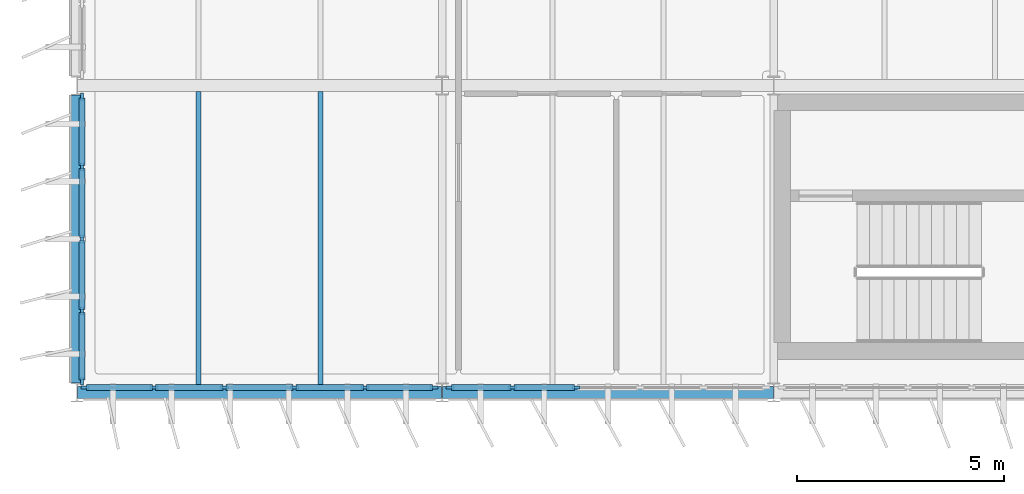
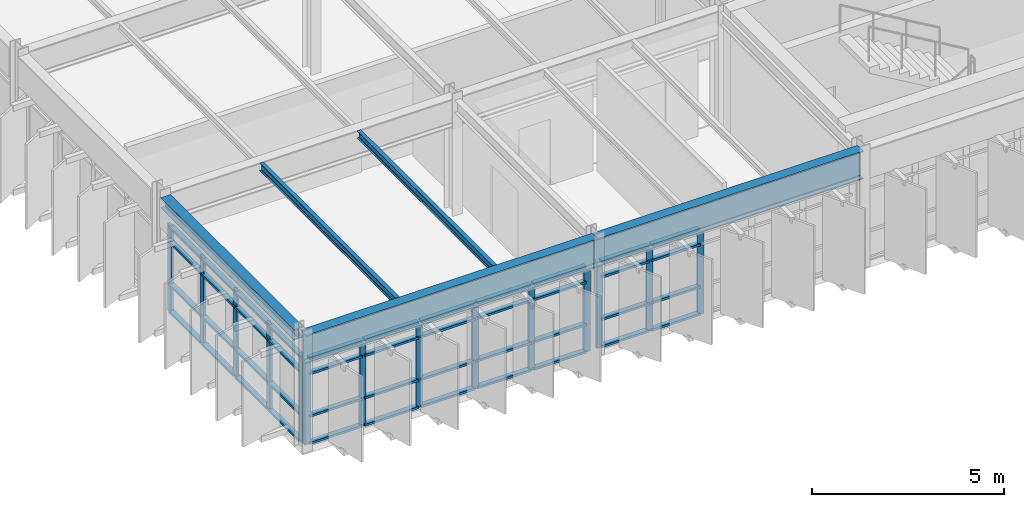
# One storey, part 4 of 35: 58 members, 5 beams, 3 elements without a shape of their own.
"""IFC4 building model written with IfcOpenShell, lengths in metres."""

from ifc_helpers import new_model, si_unit, direction, frame, origin, origin_2d, place, context, subcontext, project, spatial, rectangle, i_section, extrude, material, layer, layer_set, material_profile, profile_set, type_object, element, aggregate, save


model = new_model("IFC4")

# Units and contexts
model_context = context("Model", 3, precision=1e-05, world=origin(), true_north=direction((0.0, 1.0)))
body_context = subcontext(model_context, "Body", "Model", "MODEL_VIEW")
ifc_project = project(units=[si_unit("LENGTHUNIT", "METRE"), si_unit("AREAUNIT", "SQUARE_METRE"), si_unit("VOLUMEUNIT", "CUBIC_METRE"), si_unit("PLANEANGLEUNIT", "RADIAN"), si_unit("MASSUNIT", "GRAM", prefix="KILO")], contexts=[model_context])

# Site, building, storey
site_placement = place(None, origin())
site = spatial("IfcSite", under=ifc_project, at=site_placement, CompositionType="ELEMENT")
building_placement = place(site_placement, origin())
building = spatial("IfcBuilding", under=site, at=building_placement, Name="Valkorina Park Police Headquarters", CompositionType="ELEMENT")
storey_placement = place(building_placement, frame((0.0, 0.0, 27.199951171875)))
storey = spatial("IfcBuildingStorey", under=building, at=storey_placement, Name="L07", CompositionType="ELEMENT", Elevation=27.199951171875)

# Beams
ifc_material_1 = material(Name="Steel S355", Category="steel")
ifc_material_profile_1 = material_profile(ifc_material_1, i_section(OverallWidth=0.300048828125, OverallDepth=0.330078125, WebThickness=0.009521484375, FlangeThickness=0.0166015625, FilletRadius=0.027099609375, at=origin_2d()), Name="HEA 340")
ifc_profile_set_1 = profile_set([ifc_material_profile_1], Name="Steel S355")
beam_type_1 = type_object("IfcBeamType", Name="BM-S355-HEA340-SPN", PredefinedType="SPANDREL", material=ifc_profile_set_1)
beam_1_placement = place(storey_placement, frame((0.0, 37.22509765625, 3.51513671875), z_axis=(0.0, 1.0, 0.0), x_axis=(-1.0, 0.0, 0.0)))
element("IfcBeam", 1, at=beam_1_placement, inside=storey, type_object=beam_type_1, Name="L07 Framing Beam 2753", PredefinedType="SPANDREL", context=body_context, shape_type="SweptSolid", body=[
    extrude(i_section(OverallWidth=0.300048828125, OverallDepth=0.330078125, WebThickness=0.009521484375, FlangeThickness=0.0166015625, FilletRadius=0.027099609375, at=origin_2d()), origin(), (0.0, 0.0, 1.0), 6.949951171875),
])
ifc_material_profile_2 = material_profile(ifc_material_1, i_section(OverallWidth=0.300048828125, OverallDepth=0.89990234375, WebThickness=0.0185546875, FlangeThickness=0.034912109375, FilletRadius=0.030029296875, at=origin_2d()), Name="HEB 900")
ifc_profile_set_2 = profile_set([ifc_material_profile_2], Name="Steel S355")
beam_type_2 = type_object("IfcBeamType", Name="BM-S355-HEB900-EXT", PredefinedType="SPANDREL", material=ifc_profile_set_2)
beam_2_placement = place(storey_placement, frame((0.007080078125, 37.0, 3.22998046875), z_axis=(1.0, 0.0, 0.0), x_axis=(0.0, 1.0, 0.0)))
element("IfcBeam", 2, at=beam_2_placement, inside=storey, type_object=beam_type_2, Name="L07 Framing Beam 2724", PredefinedType="SPANDREL", context=body_context, shape_type="SweptSolid", body=[
    extrude(i_section(OverallWidth=0.300048828125, OverallDepth=0.89990234375, WebThickness=0.0185546875, FlangeThickness=0.034912109375, FilletRadius=0.030029296875, at=origin_2d()), origin(), (0.0, 0.0, 1.0), 8.785888671875),
])
beam_3_placement = place(storey_placement, frame((8.806884765625, 37.0, 3.22998046875), z_axis=(1.0, 0.0, 0.0), x_axis=(0.0, 1.0, 0.0)))
element("IfcBeam", 3, at=beam_3_placement, inside=storey, type_object=beam_type_2, Name="L07 Framing Beam 2725", PredefinedType="SPANDREL", context=body_context, shape_type="SweptSolid", body=[
    extrude(i_section(OverallWidth=0.300048828125, OverallDepth=0.89990234375, WebThickness=0.0185546875, FlangeThickness=0.034912109375, FilletRadius=0.030029296875, at=origin_2d()), origin(), (0.0, 0.0, 1.0), 7.986083984375),
])
ifc_material_profile_3 = material_profile(ifc_material_1, i_section(OverallWidth=0.1201171875, OverallDepth=0.239990234375, WebThickness=0.006103515625, FlangeThickness=0.009765625, FilletRadius=0.014892578125, at=origin_2d()), Name="IPE 240")
ifc_profile_set_3 = profile_set([ifc_material_profile_3], Name="Steel S355")
beam_type_3 = type_object("IfcBeamType", Name="BM-S355-IPE240-JST", PredefinedType="JOIST", material=ifc_profile_set_3)
for number, where, z_axis, x_axis, name in (
    (4, (2.933349609375, 37.14990234375, 3.56005859375), (0.0, 1.0, 0.0), (-1.0, 0.0, 0.0), "L07 Framing Beam 2754"),
    (5, (5.86669921875, 37.14990234375, 3.56005859375), (0.0, 1.0, 0.0), (-1.0, 0.0, 0.0), "L07 Framing Beam 2755"),
):
    element("IfcBeam", number, at=place(storey_placement, frame(where, z_axis=z_axis, x_axis=x_axis)), inside=storey, type_object=beam_type_3, Name=name, PredefinedType="JOIST", context=body_context, shape_type="SweptSolid", body=[
        extrude(i_section(OverallWidth=0.1201171875, OverallDepth=0.239990234375, WebThickness=0.006103515625, FlangeThickness=0.009765625, FilletRadius=0.014892578125, at=origin_2d()), origin(), (0.0, 0.0, 1.0), 7.10009765625),
    ])

# Curtain wall, members
ifc_material_2 = material(Name="Thermally broken aluminium AW-6060", Category="aluminium")
ifc_layer_1 = layer(ifc_material_2, 0.18994140625)
ifc_layer_set_1 = layer_set([ifc_layer_1], Name="Thermally broken aluminium AW-6060")
curtain_wall_type_1 = type_object("IfcCurtainWallType", Name="CW-V5-7680x2770", PredefinedType="NOTDEFINED", material=ifc_layer_set_1)
curtain_wall_1_placement = place(storey_placement, origin())
curtain_wall_1 = element("IfcCurtainWall", 6, at=curtain_wall_1_placement, inside=storey, type_object=curtain_wall_type_1, Name="L07 Unitised Curtain Wall 140", PredefinedType="NOTDEFINED")
ifc_material_profile_4 = material_profile(ifc_material_2, rectangle(XDim=0.070068359375, YDim=0.18994140625, at=origin_2d()), Name="CWM-02 70x190")
ifc_profile_set_4 = profile_set([ifc_material_profile_4], Name="Thermally broken aluminium AW-6060")
member_type_1 = type_object("IfcMemberType", Name="CWM-70x190", PredefinedType="MULLION", material=ifc_profile_set_4)
member_1_placement = place(storey_placement, frame((12.031982421875, 37.1201171875, 0.0), z_axis=(0.0, 0.0, 1.0), x_axis=(0.0, -1.0, 0.0)))
member_1 = element("IfcMember", 7, at=member_1_placement, type_object=member_type_1, Name="CW-V5-768-277 mullion 4", PredefinedType="MULLION", context=body_context, shape_type="SweptSolid", body=[
    extrude(rectangle(XDim=0.070068359375, YDim=0.18994140625, at=origin_2d()), origin(), (0.0, 0.0, 1.0), 2.77001953125),
])
member_2_placement = place(storey_placement, frame((10.49609375, 37.1201171875, 0.0), z_axis=(0.0, 0.0, 1.0), x_axis=(0.0, -1.0, 0.0)))
member_2 = element("IfcMember", 8, at=member_2_placement, type_object=member_type_1, Name="CW-V5-768-277 mullion 5", PredefinedType="MULLION", context=body_context, shape_type="SweptSolid", body=[
    extrude(rectangle(XDim=0.070068359375, YDim=0.18994140625, at=origin_2d()), origin(), (0.0, 0.0, 1.0), 2.77001953125),
])
member_3_placement = place(storey_placement, frame((8.9951171875, 37.1201171875, 0.0), z_axis=(0.0, 0.0, 1.0), x_axis=(0.0, -1.0, 0.0)))
member_3 = element("IfcMember", 9, at=member_3_placement, type_object=member_type_1, Name="CW-V5-768-277 mullion 6", PredefinedType="MULLION", context=body_context, shape_type="SweptSolid", body=[
    extrude(rectangle(XDim=0.070068359375, YDim=0.18994140625, at=origin_2d()), origin(), (0.0, 0.0, 1.0), 2.77001953125),
])

ifc_layer_2 = layer(ifc_material_2, 0.18994140625)
ifc_layer_set_2 = layer_set([ifc_layer_2], Name="Thermally broken aluminium AW-6060")
curtain_wall_type_2 = type_object("IfcCurtainWallType", Name="CW-V5-8480x2770", PredefinedType="NOTDEFINED", material=ifc_layer_set_2)
curtain_wall_2_placement = place(storey_placement, origin())
curtain_wall_2 = element("IfcCurtainWall", 10, at=curtain_wall_2_placement, inside=storey, type_object=curtain_wall_type_2, Name="L07 Unitised Curtain Wall 141", PredefinedType="NOTDEFINED")
member_4_placement = place(storey_placement, frame((8.60498046875, 37.1201171875, 0.0), z_axis=(0.0, 0.0, 1.0), x_axis=(0.0, -1.0, 0.0)))
member_4 = element("IfcMember", 11, at=member_4_placement, type_object=member_type_1, Name="CW-V5-848-277 mullion 1", PredefinedType="MULLION", context=body_context, shape_type="SweptSolid", body=[
    extrude(rectangle(XDim=0.070068359375, YDim=0.18994140625, at=origin_2d()), origin(), (0.0, 0.0, 1.0), 2.77001953125),
])
member_5_placement = place(storey_placement, frame((6.944091796875, 37.1201171875, 0.0), z_axis=(0.0, 0.0, 1.0), x_axis=(0.0, -1.0, 0.0)))
member_5 = element("IfcMember", 12, at=member_5_placement, type_object=member_type_1, Name="CW-V5-848-277 mullion 2", PredefinedType="MULLION", context=body_context, shape_type="SweptSolid", body=[
    extrude(rectangle(XDim=0.070068359375, YDim=0.18994140625, at=origin_2d()), origin(), (0.0, 0.0, 1.0), 2.77001953125),
])
member_6_placement = place(storey_placement, frame((5.248046875, 37.1201171875, 0.0), z_axis=(0.0, 0.0, 1.0), x_axis=(0.0, -1.0, 0.0)))
member_6 = element("IfcMember", 13, at=member_6_placement, type_object=member_type_1, Name="CW-V5-848-277 mullion 3", PredefinedType="MULLION", context=body_context, shape_type="SweptSolid", body=[
    extrude(rectangle(XDim=0.070068359375, YDim=0.18994140625, at=origin_2d()), origin(), (0.0, 0.0, 1.0), 2.77001953125),
])
member_7_placement = place(storey_placement, frame((3.552001953125, 37.1201171875, 0.0), z_axis=(0.0, 0.0, 1.0), x_axis=(0.0, -1.0, 0.0)))
member_7 = element("IfcMember", 14, at=member_7_placement, type_object=member_type_1, Name="CW-V5-848-277 mullion 4", PredefinedType="MULLION", context=body_context, shape_type="SweptSolid", body=[
    extrude(rectangle(XDim=0.070068359375, YDim=0.18994140625, at=origin_2d()), origin(), (0.0, 0.0, 1.0), 2.77001953125),
])
member_8_placement = place(storey_placement, frame((1.85595703125, 37.1201171875, 0.0), z_axis=(0.0, 0.0, 1.0), x_axis=(0.0, -1.0, 0.0)))
member_8 = element("IfcMember", 15, at=member_8_placement, type_object=member_type_1, Name="CW-V5-848-277 mullion 5", PredefinedType="MULLION", context=body_context, shape_type="SweptSolid", body=[
    extrude(rectangle(XDim=0.070068359375, YDim=0.18994140625, at=origin_2d()), origin(), (0.0, 0.0, 1.0), 2.77001953125),
])
member_9_placement = place(storey_placement, frame((0.195068359375, 37.1201171875, 0.0), z_axis=(0.0, 0.0, 1.0), x_axis=(0.0, -1.0, 0.0)))
member_9 = element("IfcMember", 16, at=member_9_placement, type_object=member_type_1, Name="CW-V5-848-277 mullion 6", PredefinedType="MULLION", context=body_context, shape_type="SweptSolid", body=[
    extrude(rectangle(XDim=0.070068359375, YDim=0.18994140625, at=origin_2d()), origin(), (0.0, 0.0, 1.0), 2.77001953125),
])

ifc_layer_3 = layer(ifc_material_2, 0.18994140625)
ifc_layer_set_3 = layer_set([ifc_layer_3], Name="Thermally broken aluminium AW-6060")
curtain_wall_type_3 = type_object("IfcCurtainWallType", Name="CW-V5-6930x2770", PredefinedType="NOTDEFINED", material=ifc_layer_set_3)
curtain_wall_3_placement = place(storey_placement, origin())
curtain_wall_3 = element("IfcCurtainWall", 17, at=curtain_wall_3_placement, inside=storey, type_object=curtain_wall_type_3, Name="L07 Unitised Curtain Wall 142", PredefinedType="NOTDEFINED")
member_10_placement = place(storey_placement, frame((0.1201171875, 37.27001953125, 0.0), z_axis=(0.0, 0.0, 1.0), x_axis=(-1.0, 0.0, 0.0)))
member_10 = element("IfcMember", 18, at=member_10_placement, type_object=member_type_1, Name="CW-V5-693-277 mullion 1", PredefinedType="MULLION", context=body_context, shape_type="SweptSolid", body=[
    extrude(rectangle(XDim=0.070068359375, YDim=0.18994140625, at=origin_2d()), origin(), (0.0, 0.0, 1.0), 2.77001953125),
])
member_11_placement = place(storey_placement, frame((0.1201171875, 38.967529296875, 0.0), z_axis=(0.0, 0.0, 1.0), x_axis=(-1.0, 0.0, 0.0)))
member_11 = element("IfcMember", 19, at=member_11_placement, type_object=member_type_1, Name="CW-V5-693-277 mullion 2", PredefinedType="MULLION", context=body_context, shape_type="SweptSolid", body=[
    extrude(rectangle(XDim=0.070068359375, YDim=0.18994140625, at=origin_2d()), origin(), (0.0, 0.0, 1.0), 2.77001953125),
])
member_12_placement = place(storey_placement, frame((0.1201171875, 40.699951171875, 0.0), z_axis=(0.0, 0.0, 1.0), x_axis=(-1.0, 0.0, 0.0)))
member_12 = element("IfcMember", 20, at=member_12_placement, type_object=member_type_1, Name="CW-V5-693-277 mullion 3", PredefinedType="MULLION", context=body_context, shape_type="SweptSolid", body=[
    extrude(rectangle(XDim=0.070068359375, YDim=0.18994140625, at=origin_2d()), origin(), (0.0, 0.0, 1.0), 2.77001953125),
])
member_13_placement = place(storey_placement, frame((0.1201171875, 42.4326171875, 0.0), z_axis=(0.0, 0.0, 1.0), x_axis=(-1.0, 0.0, 0.0)))
member_13 = element("IfcMember", 21, at=member_13_placement, type_object=member_type_1, Name="CW-V5-693-277 mullion 4", PredefinedType="MULLION", context=body_context, shape_type="SweptSolid", body=[
    extrude(rectangle(XDim=0.070068359375, YDim=0.18994140625, at=origin_2d()), origin(), (0.0, 0.0, 1.0), 2.77001953125),
])
member_14_placement = place(storey_placement, frame((0.1201171875, 44.1298828125, 0.0), z_axis=(0.0, 0.0, 1.0), x_axis=(-1.0, 0.0, 0.0)))
member_14 = element("IfcMember", 22, at=member_14_placement, type_object=member_type_1, Name="CW-V5-693-277 mullion 5", PredefinedType="MULLION", context=body_context, shape_type="SweptSolid", body=[
    extrude(rectangle(XDim=0.070068359375, YDim=0.18994140625, at=origin_2d()), origin(), (0.0, 0.0, 1.0), 2.77001953125),
])

# Member
ifc_material_profile_5 = material_profile(ifc_material_2, rectangle(XDim=0.14990234375, YDim=0.070068359375, at=origin_2d()), Name="CWT-02 150x70")
ifc_profile_set_5 = profile_set([ifc_material_profile_5], Name="Thermally broken aluminium AW-6060")
member_type_2 = type_object("IfcMemberType", Name="CWT-150x70", PredefinedType="USERDEFINED", material=ifc_profile_set_5)
member_15_placement = place(storey_placement, frame((11.9970703125, 37.1201171875, 0.03515625), z_axis=(-1.0, 0.0, 0.0), x_axis=(0.0, -1.0, 0.0)))
member_15 = element("IfcMember", 23, at=member_15_placement, type_object=member_type_2, Name="CW-V5-768-277 transom 4.1", ObjectType="TRANSOM", PredefinedType="USERDEFINED", context=body_context, shape_type="SweptSolid", body=[
    extrude(rectangle(XDim=0.14990234375, YDim=0.070068359375, at=origin_2d()), origin(), (0.0, 0.0, 1.0), 1.466064453125),
])

member_16_placement = place(storey_placement, frame((11.9970703125, 37.1201171875, 0.900146484375), z_axis=(-1.0, 0.0, 0.0), x_axis=(0.0, -1.0, 0.0)))
member_16 = element("IfcMember", 24, at=member_16_placement, type_object=member_type_2, Name="CW-V5-768-277 transom 4.2", ObjectType="TRANSOM", PredefinedType="USERDEFINED", context=body_context, shape_type="SweptSolid", body=[
    extrude(rectangle(XDim=0.14990234375, YDim=0.070068359375, at=origin_2d()), origin(), (0.0, 0.0, 1.0), 1.466064453125),
])

member_17_placement = place(storey_placement, frame((11.9970703125, 37.1201171875, 2.25), z_axis=(-1.0, 0.0, 0.0), x_axis=(0.0, -1.0, 0.0)))
member_17 = element("IfcMember", 25, at=member_17_placement, type_object=member_type_2, Name="CW-V5-768-277 transom 4.3", ObjectType="TRANSOM", PredefinedType="USERDEFINED", context=body_context, shape_type="SweptSolid", body=[
    extrude(rectangle(XDim=0.14990234375, YDim=0.070068359375, at=origin_2d()), origin(), (0.0, 0.0, 1.0), 1.466064453125),
])

member_18_placement = place(storey_placement, frame((11.9970703125, 37.1201171875, 2.735107421875), z_axis=(-1.0, 0.0, 0.0), x_axis=(0.0, -1.0, 0.0)))
member_18 = element("IfcMember", 26, at=member_18_placement, type_object=member_type_2, Name="CW-V5-768-277 transom 4.4", ObjectType="TRANSOM", PredefinedType="USERDEFINED", context=body_context, shape_type="SweptSolid", body=[
    extrude(rectangle(XDim=0.14990234375, YDim=0.070068359375, at=origin_2d()), origin(), (0.0, 0.0, 1.0), 1.466064453125),
])

member_19_placement = place(storey_placement, frame((10.4609375, 37.1201171875, 0.03515625), z_axis=(-1.0, 0.0, 0.0), x_axis=(0.0, -1.0, 0.0)))
member_19 = element("IfcMember", 27, at=member_19_placement, type_object=member_type_2, Name="CW-V5-768-277 transom 5.1", ObjectType="TRANSOM", PredefinedType="USERDEFINED", context=body_context, shape_type="SweptSolid", body=[
    extrude(rectangle(XDim=0.14990234375, YDim=0.070068359375, at=origin_2d()), origin(), (0.0, 0.0, 1.0), 1.430908203125),
])

member_20_placement = place(storey_placement, frame((10.4609375, 37.1201171875, 0.900146484375), z_axis=(-1.0, 0.0, 0.0), x_axis=(0.0, -1.0, 0.0)))
member_20 = element("IfcMember", 28, at=member_20_placement, type_object=member_type_2, Name="CW-V5-768-277 transom 5.2", ObjectType="TRANSOM", PredefinedType="USERDEFINED", context=body_context, shape_type="SweptSolid", body=[
    extrude(rectangle(XDim=0.14990234375, YDim=0.070068359375, at=origin_2d()), origin(), (0.0, 0.0, 1.0), 1.430908203125),
])

member_21_placement = place(storey_placement, frame((10.4609375, 37.1201171875, 2.25), z_axis=(-1.0, 0.0, 0.0), x_axis=(0.0, -1.0, 0.0)))
member_21 = element("IfcMember", 29, at=member_21_placement, type_object=member_type_2, Name="CW-V5-768-277 transom 5.3", ObjectType="TRANSOM", PredefinedType="USERDEFINED", context=body_context, shape_type="SweptSolid", body=[
    extrude(rectangle(XDim=0.14990234375, YDim=0.070068359375, at=origin_2d()), origin(), (0.0, 0.0, 1.0), 1.430908203125),
])

member_22_placement = place(storey_placement, frame((10.4609375, 37.1201171875, 2.735107421875), z_axis=(-1.0, 0.0, 0.0), x_axis=(0.0, -1.0, 0.0)))
member_22 = element("IfcMember", 30, at=member_22_placement, type_object=member_type_2, Name="CW-V5-768-277 transom 5.4", ObjectType="TRANSOM", PredefinedType="USERDEFINED", context=body_context, shape_type="SweptSolid", body=[
    extrude(rectangle(XDim=0.14990234375, YDim=0.070068359375, at=origin_2d()), origin(), (0.0, 0.0, 1.0), 1.430908203125),
])

aggregate(curtain_wall_1, [member_1, member_2, member_3, member_15, member_16, member_17, member_18, member_19, member_20, member_21, member_22])

member_23_placement = place(storey_placement, frame((8.570068359375, 37.1201171875, 0.03515625), z_axis=(-1.0, 0.0, 0.0), x_axis=(0.0, -1.0, 0.0)))
member_23 = element("IfcMember", 31, at=member_23_placement, type_object=member_type_2, Name="CW-V5-848-277 transom 1.1", ObjectType="TRANSOM", PredefinedType="USERDEFINED", context=body_context, shape_type="SweptSolid", body=[
    extrude(rectangle(XDim=0.14990234375, YDim=0.070068359375, at=origin_2d()), origin(), (0.0, 0.0, 1.0), 1.591064453125),
])

member_24_placement = place(storey_placement, frame((8.570068359375, 37.1201171875, 0.900146484375), z_axis=(-1.0, 0.0, 0.0), x_axis=(0.0, -1.0, 0.0)))
member_24 = element("IfcMember", 32, at=member_24_placement, type_object=member_type_2, Name="CW-V5-848-277 transom 1.2", ObjectType="TRANSOM", PredefinedType="USERDEFINED", context=body_context, shape_type="SweptSolid", body=[
    extrude(rectangle(XDim=0.14990234375, YDim=0.070068359375, at=origin_2d()), origin(), (0.0, 0.0, 1.0), 1.591064453125),
])

member_25_placement = place(storey_placement, frame((8.570068359375, 37.1201171875, 2.25), z_axis=(-1.0, 0.0, 0.0), x_axis=(0.0, -1.0, 0.0)))
member_25 = element("IfcMember", 33, at=member_25_placement, type_object=member_type_2, Name="CW-V5-848-277 transom 1.3", ObjectType="TRANSOM", PredefinedType="USERDEFINED", context=body_context, shape_type="SweptSolid", body=[
    extrude(rectangle(XDim=0.14990234375, YDim=0.070068359375, at=origin_2d()), origin(), (0.0, 0.0, 1.0), 1.591064453125),
])

member_26_placement = place(storey_placement, frame((8.570068359375, 37.1201171875, 2.735107421875), z_axis=(-1.0, 0.0, 0.0), x_axis=(0.0, -1.0, 0.0)))
member_26 = element("IfcMember", 34, at=member_26_placement, type_object=member_type_2, Name="CW-V5-848-277 transom 1.4", ObjectType="TRANSOM", PredefinedType="USERDEFINED", context=body_context, shape_type="SweptSolid", body=[
    extrude(rectangle(XDim=0.14990234375, YDim=0.070068359375, at=origin_2d()), origin(), (0.0, 0.0, 1.0), 1.591064453125),
])

member_27_placement = place(storey_placement, frame((6.908935546875, 37.1201171875, 0.03515625), z_axis=(-1.0, 0.0, 0.0), x_axis=(0.0, -1.0, 0.0)))
member_27 = element("IfcMember", 35, at=member_27_placement, type_object=member_type_2, Name="CW-V5-848-277 transom 2.1", ObjectType="TRANSOM", PredefinedType="USERDEFINED", context=body_context, shape_type="SweptSolid", body=[
    extrude(rectangle(XDim=0.14990234375, YDim=0.070068359375, at=origin_2d()), origin(), (0.0, 0.0, 1.0), 1.6259765625),
])

member_28_placement = place(storey_placement, frame((6.908935546875, 37.1201171875, 0.900146484375), z_axis=(-1.0, 0.0, 0.0), x_axis=(0.0, -1.0, 0.0)))
member_28 = element("IfcMember", 36, at=member_28_placement, type_object=member_type_2, Name="CW-V5-848-277 transom 2.2", ObjectType="TRANSOM", PredefinedType="USERDEFINED", context=body_context, shape_type="SweptSolid", body=[
    extrude(rectangle(XDim=0.14990234375, YDim=0.070068359375, at=origin_2d()), origin(), (0.0, 0.0, 1.0), 1.6259765625),
])

member_29_placement = place(storey_placement, frame((6.908935546875, 37.1201171875, 2.25), z_axis=(-1.0, 0.0, 0.0), x_axis=(0.0, -1.0, 0.0)))
member_29 = element("IfcMember", 37, at=member_29_placement, type_object=member_type_2, Name="CW-V5-848-277 transom 2.3", ObjectType="TRANSOM", PredefinedType="USERDEFINED", context=body_context, shape_type="SweptSolid", body=[
    extrude(rectangle(XDim=0.14990234375, YDim=0.070068359375, at=origin_2d()), origin(), (0.0, 0.0, 1.0), 1.6259765625),
])

member_30_placement = place(storey_placement, frame((6.908935546875, 37.1201171875, 2.735107421875), z_axis=(-1.0, 0.0, 0.0), x_axis=(0.0, -1.0, 0.0)))
member_30 = element("IfcMember", 38, at=member_30_placement, type_object=member_type_2, Name="CW-V5-848-277 transom 2.4", ObjectType="TRANSOM", PredefinedType="USERDEFINED", context=body_context, shape_type="SweptSolid", body=[
    extrude(rectangle(XDim=0.14990234375, YDim=0.070068359375, at=origin_2d()), origin(), (0.0, 0.0, 1.0), 1.6259765625),
])

member_31_placement = place(storey_placement, frame((5.212890625, 37.1201171875, 0.03515625), z_axis=(-1.0, 0.0, 0.0), x_axis=(0.0, -1.0, 0.0)))
member_31 = element("IfcMember", 39, at=member_31_placement, type_object=member_type_2, Name="CW-V5-848-277 transom 3.1", ObjectType="TRANSOM", PredefinedType="USERDEFINED", context=body_context, shape_type="SweptSolid", body=[
    extrude(rectangle(XDim=0.14990234375, YDim=0.070068359375, at=origin_2d()), origin(), (0.0, 0.0, 1.0), 1.6259765625),
])

member_32_placement = place(storey_placement, frame((5.212890625, 37.1201171875, 0.900146484375), z_axis=(-1.0, 0.0, 0.0), x_axis=(0.0, -1.0, 0.0)))
member_32 = element("IfcMember", 40, at=member_32_placement, type_object=member_type_2, Name="CW-V5-848-277 transom 3.2", ObjectType="TRANSOM", PredefinedType="USERDEFINED", context=body_context, shape_type="SweptSolid", body=[
    extrude(rectangle(XDim=0.14990234375, YDim=0.070068359375, at=origin_2d()), origin(), (0.0, 0.0, 1.0), 1.6259765625),
])

member_33_placement = place(storey_placement, frame((5.212890625, 37.1201171875, 2.25), z_axis=(-1.0, 0.0, 0.0), x_axis=(0.0, -1.0, 0.0)))
member_33 = element("IfcMember", 41, at=member_33_placement, type_object=member_type_2, Name="CW-V5-848-277 transom 3.3", ObjectType="TRANSOM", PredefinedType="USERDEFINED", context=body_context, shape_type="SweptSolid", body=[
    extrude(rectangle(XDim=0.14990234375, YDim=0.070068359375, at=origin_2d()), origin(), (0.0, 0.0, 1.0), 1.6259765625),
])

member_34_placement = place(storey_placement, frame((5.212890625, 37.1201171875, 2.735107421875), z_axis=(-1.0, 0.0, 0.0), x_axis=(0.0, -1.0, 0.0)))
member_34 = element("IfcMember", 42, at=member_34_placement, type_object=member_type_2, Name="CW-V5-848-277 transom 3.4", ObjectType="TRANSOM", PredefinedType="USERDEFINED", context=body_context, shape_type="SweptSolid", body=[
    extrude(rectangle(XDim=0.14990234375, YDim=0.070068359375, at=origin_2d()), origin(), (0.0, 0.0, 1.0), 1.6259765625),
])

member_35_placement = place(storey_placement, frame((3.51708984375, 37.1201171875, 0.03515625), z_axis=(-1.0, 0.0, 0.0), x_axis=(0.0, -1.0, 0.0)))
member_35 = element("IfcMember", 43, at=member_35_placement, type_object=member_type_2, Name="CW-V5-848-277 transom 4.1", ObjectType="TRANSOM", PredefinedType="USERDEFINED", context=body_context, shape_type="SweptSolid", body=[
    extrude(rectangle(XDim=0.14990234375, YDim=0.070068359375, at=origin_2d()), origin(), (0.0, 0.0, 1.0), 1.6259765625),
])

member_36_placement = place(storey_placement, frame((3.51708984375, 37.1201171875, 0.900146484375), z_axis=(-1.0, 0.0, 0.0), x_axis=(0.0, -1.0, 0.0)))
member_36 = element("IfcMember", 44, at=member_36_placement, type_object=member_type_2, Name="CW-V5-848-277 transom 4.2", ObjectType="TRANSOM", PredefinedType="USERDEFINED", context=body_context, shape_type="SweptSolid", body=[
    extrude(rectangle(XDim=0.14990234375, YDim=0.070068359375, at=origin_2d()), origin(), (0.0, 0.0, 1.0), 1.6259765625),
])

member_37_placement = place(storey_placement, frame((3.51708984375, 37.1201171875, 2.25), z_axis=(-1.0, 0.0, 0.0), x_axis=(0.0, -1.0, 0.0)))
member_37 = element("IfcMember", 45, at=member_37_placement, type_object=member_type_2, Name="CW-V5-848-277 transom 4.3", ObjectType="TRANSOM", PredefinedType="USERDEFINED", context=body_context, shape_type="SweptSolid", body=[
    extrude(rectangle(XDim=0.14990234375, YDim=0.070068359375, at=origin_2d()), origin(), (0.0, 0.0, 1.0), 1.6259765625),
])

member_38_placement = place(storey_placement, frame((3.51708984375, 37.1201171875, 2.735107421875), z_axis=(-1.0, 0.0, 0.0), x_axis=(0.0, -1.0, 0.0)))
member_38 = element("IfcMember", 46, at=member_38_placement, type_object=member_type_2, Name="CW-V5-848-277 transom 4.4", ObjectType="TRANSOM", PredefinedType="USERDEFINED", context=body_context, shape_type="SweptSolid", body=[
    extrude(rectangle(XDim=0.14990234375, YDim=0.070068359375, at=origin_2d()), origin(), (0.0, 0.0, 1.0), 1.6259765625),
])

member_39_placement = place(storey_placement, frame((1.821044921875, 37.1201171875, 0.03515625), z_axis=(-1.0, 0.0, 0.0), x_axis=(0.0, -1.0, 0.0)))
member_39 = element("IfcMember", 47, at=member_39_placement, type_object=member_type_2, Name="CW-V5-848-277 transom 5.1", ObjectType="TRANSOM", PredefinedType="USERDEFINED", context=body_context, shape_type="SweptSolid", body=[
    extrude(rectangle(XDim=0.14990234375, YDim=0.070068359375, at=origin_2d()), origin(), (0.0, 0.0, 1.0), 1.591064453125),
])

member_40_placement = place(storey_placement, frame((1.821044921875, 37.1201171875, 0.900146484375), z_axis=(-1.0, 0.0, 0.0), x_axis=(0.0, -1.0, 0.0)))
member_40 = element("IfcMember", 48, at=member_40_placement, type_object=member_type_2, Name="CW-V5-848-277 transom 5.2", ObjectType="TRANSOM", PredefinedType="USERDEFINED", context=body_context, shape_type="SweptSolid", body=[
    extrude(rectangle(XDim=0.14990234375, YDim=0.070068359375, at=origin_2d()), origin(), (0.0, 0.0, 1.0), 1.591064453125),
])

member_41_placement = place(storey_placement, frame((1.821044921875, 37.1201171875, 2.25), z_axis=(-1.0, 0.0, 0.0), x_axis=(0.0, -1.0, 0.0)))
member_41 = element("IfcMember", 49, at=member_41_placement, type_object=member_type_2, Name="CW-V5-848-277 transom 5.3", ObjectType="TRANSOM", PredefinedType="USERDEFINED", context=body_context, shape_type="SweptSolid", body=[
    extrude(rectangle(XDim=0.14990234375, YDim=0.070068359375, at=origin_2d()), origin(), (0.0, 0.0, 1.0), 1.591064453125),
])

member_42_placement = place(storey_placement, frame((1.821044921875, 37.1201171875, 2.735107421875), z_axis=(-1.0, 0.0, 0.0), x_axis=(0.0, -1.0, 0.0)))
member_42 = element("IfcMember", 50, at=member_42_placement, type_object=member_type_2, Name="CW-V5-848-277 transom 5.4", ObjectType="TRANSOM", PredefinedType="USERDEFINED", context=body_context, shape_type="SweptSolid", body=[
    extrude(rectangle(XDim=0.14990234375, YDim=0.070068359375, at=origin_2d()), origin(), (0.0, 0.0, 1.0), 1.591064453125),
])

aggregate(curtain_wall_2, [member_4, member_5, member_6, member_7, member_8, member_9, member_23, member_24, member_25, member_26, member_27, member_28, member_29, member_30, member_31, member_32, member_33, member_34, member_35, member_36, member_37, member_38, member_39, member_40, member_41, member_42])

member_43_placement = place(storey_placement, frame((0.1201171875, 37.304931640625, 0.03515625), z_axis=(0.0, 1.0, 0.0), x_axis=(-1.0, 0.0, 0.0)))
member_43 = element("IfcMember", 51, at=member_43_placement, type_object=member_type_2, Name="CW-V5-693-277 transom 1.1", ObjectType="TRANSOM", PredefinedType="USERDEFINED", context=body_context, shape_type="SweptSolid", body=[
    extrude(rectangle(XDim=0.14990234375, YDim=0.070068359375, at=origin_2d()), origin(), (0.0, 0.0, 1.0), 1.627685546875),
])

member_44_placement = place(storey_placement, frame((0.1201171875, 37.304931640625, 0.900146484375), z_axis=(0.0, 1.0, 0.0), x_axis=(-1.0, 0.0, 0.0)))
member_44 = element("IfcMember", 52, at=member_44_placement, type_object=member_type_2, Name="CW-V5-693-277 transom 1.2", ObjectType="TRANSOM", PredefinedType="USERDEFINED", context=body_context, shape_type="SweptSolid", body=[
    extrude(rectangle(XDim=0.14990234375, YDim=0.070068359375, at=origin_2d()), origin(), (0.0, 0.0, 1.0), 1.627685546875),
])

member_45_placement = place(storey_placement, frame((0.1201171875, 37.304931640625, 2.25), z_axis=(0.0, 1.0, 0.0), x_axis=(-1.0, 0.0, 0.0)))
member_45 = element("IfcMember", 53, at=member_45_placement, type_object=member_type_2, Name="CW-V5-693-277 transom 1.3", ObjectType="TRANSOM", PredefinedType="USERDEFINED", context=body_context, shape_type="SweptSolid", body=[
    extrude(rectangle(XDim=0.14990234375, YDim=0.070068359375, at=origin_2d()), origin(), (0.0, 0.0, 1.0), 1.627685546875),
])

member_46_placement = place(storey_placement, frame((0.1201171875, 37.304931640625, 2.735107421875), z_axis=(0.0, 1.0, 0.0), x_axis=(-1.0, 0.0, 0.0)))
member_46 = element("IfcMember", 54, at=member_46_placement, type_object=member_type_2, Name="CW-V5-693-277 transom 1.4", ObjectType="TRANSOM", PredefinedType="USERDEFINED", context=body_context, shape_type="SweptSolid", body=[
    extrude(rectangle(XDim=0.14990234375, YDim=0.070068359375, at=origin_2d()), origin(), (0.0, 0.0, 1.0), 1.627685546875),
])

member_47_placement = place(storey_placement, frame((0.1201171875, 39.00244140625, 0.03515625), z_axis=(0.0, 1.0, 0.0), x_axis=(-1.0, 0.0, 0.0)))
member_47 = element("IfcMember", 55, at=member_47_placement, type_object=member_type_2, Name="CW-V5-693-277 transom 2.1", ObjectType="TRANSOM", PredefinedType="USERDEFINED", context=body_context, shape_type="SweptSolid", body=[
    extrude(rectangle(XDim=0.14990234375, YDim=0.070068359375, at=origin_2d()), origin(), (0.0, 0.0, 1.0), 1.66259765625),
])

member_48_placement = place(storey_placement, frame((0.1201171875, 39.00244140625, 0.900146484375), z_axis=(0.0, 1.0, 0.0), x_axis=(-1.0, 0.0, 0.0)))
member_48 = element("IfcMember", 56, at=member_48_placement, type_object=member_type_2, Name="CW-V5-693-277 transom 2.2", ObjectType="TRANSOM", PredefinedType="USERDEFINED", context=body_context, shape_type="SweptSolid", body=[
    extrude(rectangle(XDim=0.14990234375, YDim=0.070068359375, at=origin_2d()), origin(), (0.0, 0.0, 1.0), 1.66259765625),
])

member_49_placement = place(storey_placement, frame((0.1201171875, 39.00244140625, 2.25), z_axis=(0.0, 1.0, 0.0), x_axis=(-1.0, 0.0, 0.0)))
member_49 = element("IfcMember", 57, at=member_49_placement, type_object=member_type_2, Name="CW-V5-693-277 transom 2.3", ObjectType="TRANSOM", PredefinedType="USERDEFINED", context=body_context, shape_type="SweptSolid", body=[
    extrude(rectangle(XDim=0.14990234375, YDim=0.070068359375, at=origin_2d()), origin(), (0.0, 0.0, 1.0), 1.66259765625),
])

member_50_placement = place(storey_placement, frame((0.1201171875, 39.00244140625, 2.735107421875), z_axis=(0.0, 1.0, 0.0), x_axis=(-1.0, 0.0, 0.0)))
member_50 = element("IfcMember", 58, at=member_50_placement, type_object=member_type_2, Name="CW-V5-693-277 transom 2.4", ObjectType="TRANSOM", PredefinedType="USERDEFINED", context=body_context, shape_type="SweptSolid", body=[
    extrude(rectangle(XDim=0.14990234375, YDim=0.070068359375, at=origin_2d()), origin(), (0.0, 0.0, 1.0), 1.66259765625),
])

member_51_placement = place(storey_placement, frame((0.1201171875, 40.735107421875, 0.03515625), z_axis=(0.0, 1.0, 0.0), x_axis=(-1.0, 0.0, 0.0)))
member_51 = element("IfcMember", 59, at=member_51_placement, type_object=member_type_2, Name="CW-V5-693-277 transom 3.1", ObjectType="TRANSOM", PredefinedType="USERDEFINED", context=body_context, shape_type="SweptSolid", body=[
    extrude(rectangle(XDim=0.14990234375, YDim=0.070068359375, at=origin_2d()), origin(), (0.0, 0.0, 1.0), 1.662353515625),
])

member_52_placement = place(storey_placement, frame((0.1201171875, 40.735107421875, 0.900146484375), z_axis=(0.0, 1.0, 0.0), x_axis=(-1.0, 0.0, 0.0)))
member_52 = element("IfcMember", 60, at=member_52_placement, type_object=member_type_2, Name="CW-V5-693-277 transom 3.2", ObjectType="TRANSOM", PredefinedType="USERDEFINED", context=body_context, shape_type="SweptSolid", body=[
    extrude(rectangle(XDim=0.14990234375, YDim=0.070068359375, at=origin_2d()), origin(), (0.0, 0.0, 1.0), 1.662353515625),
])

member_53_placement = place(storey_placement, frame((0.1201171875, 40.735107421875, 2.25), z_axis=(0.0, 1.0, 0.0), x_axis=(-1.0, 0.0, 0.0)))
member_53 = element("IfcMember", 61, at=member_53_placement, type_object=member_type_2, Name="CW-V5-693-277 transom 3.3", ObjectType="TRANSOM", PredefinedType="USERDEFINED", context=body_context, shape_type="SweptSolid", body=[
    extrude(rectangle(XDim=0.14990234375, YDim=0.070068359375, at=origin_2d()), origin(), (0.0, 0.0, 1.0), 1.662353515625),
])

member_54_placement = place(storey_placement, frame((0.1201171875, 40.735107421875, 2.735107421875), z_axis=(0.0, 1.0, 0.0), x_axis=(-1.0, 0.0, 0.0)))
member_54 = element("IfcMember", 62, at=member_54_placement, type_object=member_type_2, Name="CW-V5-693-277 transom 3.4", ObjectType="TRANSOM", PredefinedType="USERDEFINED", context=body_context, shape_type="SweptSolid", body=[
    extrude(rectangle(XDim=0.14990234375, YDim=0.070068359375, at=origin_2d()), origin(), (0.0, 0.0, 1.0), 1.662353515625),
])

member_55_placement = place(storey_placement, frame((0.1201171875, 42.467529296875, 0.03515625), z_axis=(0.0, 1.0, 0.0), x_axis=(-1.0, 0.0, 0.0)))
member_55 = element("IfcMember", 63, at=member_55_placement, type_object=member_type_2, Name="CW-V5-693-277 transom 4.1", ObjectType="TRANSOM", PredefinedType="USERDEFINED", context=body_context, shape_type="SweptSolid", body=[
    extrude(rectangle(XDim=0.14990234375, YDim=0.070068359375, at=origin_2d()), origin(), (0.0, 0.0, 1.0), 1.62744140625),
])

member_56_placement = place(storey_placement, frame((0.1201171875, 42.467529296875, 0.900146484375), z_axis=(0.0, 1.0, 0.0), x_axis=(-1.0, 0.0, 0.0)))
member_56 = element("IfcMember", 64, at=member_56_placement, type_object=member_type_2, Name="CW-V5-693-277 transom 4.2", ObjectType="TRANSOM", PredefinedType="USERDEFINED", context=body_context, shape_type="SweptSolid", body=[
    extrude(rectangle(XDim=0.14990234375, YDim=0.070068359375, at=origin_2d()), origin(), (0.0, 0.0, 1.0), 1.62744140625),
])

member_57_placement = place(storey_placement, frame((0.1201171875, 42.467529296875, 2.25), z_axis=(0.0, 1.0, 0.0), x_axis=(-1.0, 0.0, 0.0)))
member_57 = element("IfcMember", 65, at=member_57_placement, type_object=member_type_2, Name="CW-V5-693-277 transom 4.3", ObjectType="TRANSOM", PredefinedType="USERDEFINED", context=body_context, shape_type="SweptSolid", body=[
    extrude(rectangle(XDim=0.14990234375, YDim=0.070068359375, at=origin_2d()), origin(), (0.0, 0.0, 1.0), 1.62744140625),
])

member_58_placement = place(storey_placement, frame((0.1201171875, 42.467529296875, 2.735107421875), z_axis=(0.0, 1.0, 0.0), x_axis=(-1.0, 0.0, 0.0)))
member_58 = element("IfcMember", 66, at=member_58_placement, type_object=member_type_2, Name="CW-V5-693-277 transom 4.4", ObjectType="TRANSOM", PredefinedType="USERDEFINED", context=body_context, shape_type="SweptSolid", body=[
    extrude(rectangle(XDim=0.14990234375, YDim=0.070068359375, at=origin_2d()), origin(), (0.0, 0.0, 1.0), 1.62744140625),
])

aggregate(curtain_wall_3, [member_10, member_11, member_12, member_13, member_14, member_43, member_44, member_45, member_46, member_47, member_48, member_49, member_50, member_51, member_52, member_53, member_54, member_55, member_56, member_57, member_58])

save(model, "model.ifc")
